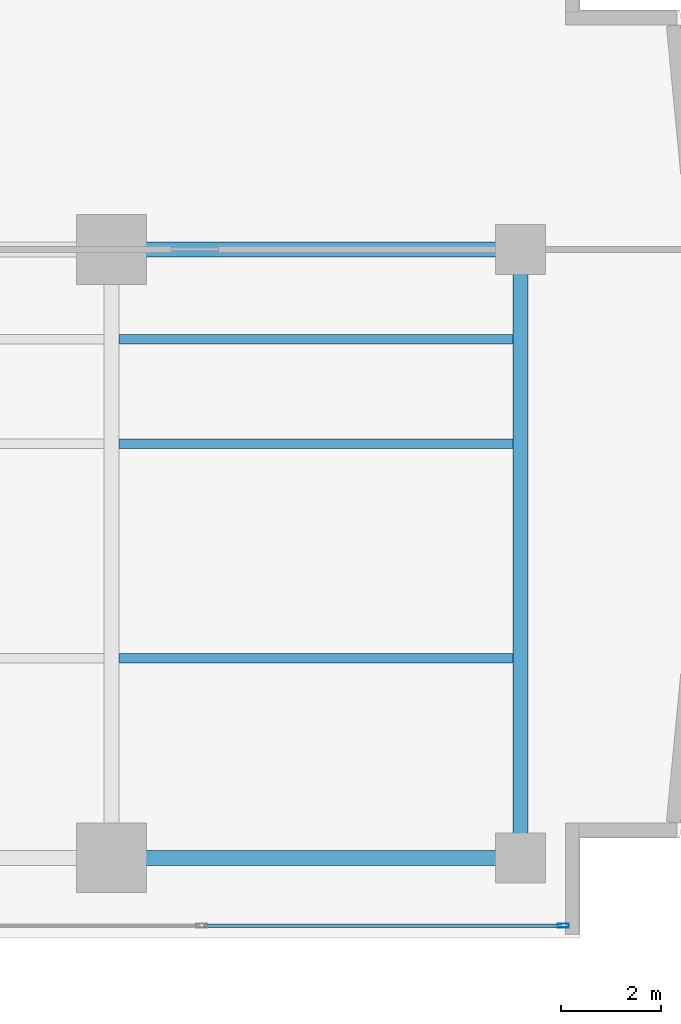
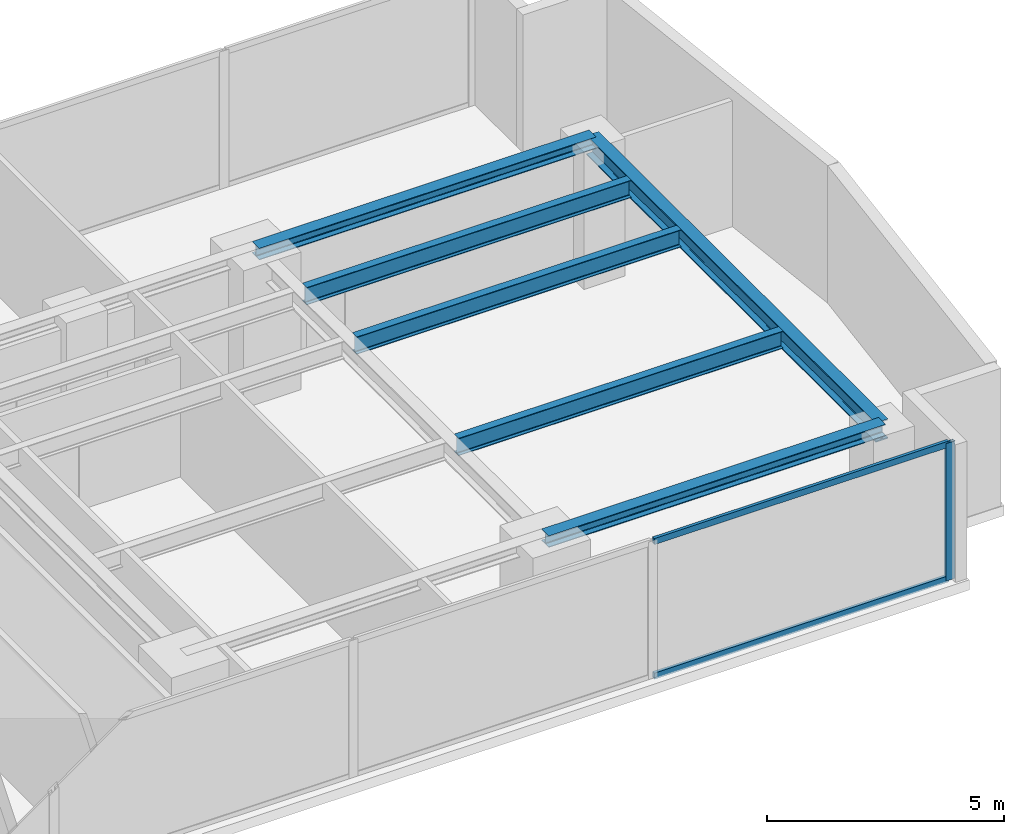
# One storey, part 12 of 26: 6 beams, 3 members, 1 element without a shape of its own.
"""IFC4 building model written with IfcOpenShell, lengths in metres."""

import ifcopenshell
import ifcopenshell.guid

model = None  # the IFC model being written
_history = None  # IfcOwnerHistory: only IFC2X3 demands one
_inside = {}  # id of a spatial element -> (the spatial element, [elements in it])
_under = {}  # id of a project, library or spatial element -> (it, [spatial elements below it])
_declared = {}  # id of a project -> (the project, [libraries it declares])
_typed = {}  # id of a type object -> (the type object, [elements of that type])
_made_of = {}  # id of a material, layer set ... -> (it, [elements and type objects made of it])


def new_model(schema):
    """Start an empty IFC model of exactly this schema.

    Asked for "IFC4X3", IfcOpenShell would pick the latest addendum, in which some entities
    have other attributes; the version numbers below select the first issue.
    IFC2X3 requires an IfcOwnerHistory on every rooted entity: one is made here for all.
    """
    global model, _history
    if schema == "IFC4X3":
        model = ifcopenshell.file(schema_version=(4, 3, 0, 0))
    else:
        model = ifcopenshell.file(schema=schema)
    _inside.clear()
    _under.clear()
    _declared.clear()
    _typed.clear()
    _made_of.clear()
    _history = None
    if model.schema == "IFC2X3":
        org = make("IfcOrganization", Name="unknown")
        user = make(
            "IfcPersonAndOrganization",
            ThePerson=make("IfcPerson", FamilyName="unknown"),
            TheOrganization=org,
        )
        app = make(
            "IfcApplication",
            ApplicationDeveloper=org,
            Version="unknown",
            ApplicationFullName="unknown",
            ApplicationIdentifier="unknown",
        )
        _history = make(
            "IfcOwnerHistory",
            OwningUser=user,
            OwningApplication=app,
            ChangeAction="ADDED",
            CreationDate=0,
        )
    return model


def make(cls, **values):
    """One entity of the class cls with the attributes given. An attribute that is None is left unset."""
    return model.create_entity(
        cls, **{name: value for name, value in values.items() if value is not None}
    )


def rooted(cls, **values):
    """An entity with a GlobalId (a new one), such as an element, a storey or a relation."""
    return make(cls, GlobalId=ifcopenshell.guid.new(), OwnerHistory=_history, **values)


def si_unit(unit_type, name, prefix=None):
    """IfcSIUnit, for example si_unit("LENGTHUNIT", "METRE", prefix="MILLI")."""
    return make("IfcSIUnit", UnitType=unit_type, Prefix=prefix, Name=name)


def assignment(units):
    """IfcUnitAssignment: the units of a project."""
    return None if units is None else make("IfcUnitAssignment", Units=units)


def point(xyz):
    """IfcCartesianPoint."""
    return None if xyz is None else make("IfcCartesianPoint", Coordinates=xyz)


def direction(xyz):
    """IfcDirection."""
    return None if xyz is None else make("IfcDirection", DirectionRatios=xyz)


def frame(location, z_axis=None, x_axis=None):
    """IfcAxis2Placement3D, a coordinate frame: its origin and axes. An axis left out is left unset."""
    return make(
        "IfcAxis2Placement3D",
        Location=point(location),
        Axis=direction(z_axis),
        RefDirection=direction(x_axis),
    )


def frame_2d(location, x_axis=None):
    """IfcAxis2Placement2D, a coordinate frame in the plane: its origin and x axis."""
    return make(
        "IfcAxis2Placement2D", Location=point(location), RefDirection=direction(x_axis)
    )


def origin():
    """The frame at (0, 0, 0) with its axes left unset."""
    return frame((0.0, 0.0, 0.0))


def origin_with_axes():
    """The frame at (0, 0, 0) with the z axis (0, 0, 1) and the x axis (1, 0, 0) written out."""
    return frame((0.0, 0.0, 0.0), z_axis=(0.0, 0.0, 1.0), x_axis=(1.0, 0.0, 0.0))


def origin_2d():
    """The frame at (0, 0) in the plane with its x axis left unset."""
    return frame_2d((0.0, 0.0))


def place(relative_to, where):
    """IfcLocalPlacement: puts the frame where relative to a parent placement (None: the world)."""
    return make(
        "IfcLocalPlacement", PlacementRelTo=relative_to, RelativePlacement=where
    )


def context(
    kind, dimensions, precision=None, world=None, true_north=None, identifier=None
):
    """IfcGeometricRepresentationContext, for example the 3D "Model" context."""
    return make(
        "IfcGeometricRepresentationContext",
        ContextIdentifier=identifier,
        ContextType=kind,
        CoordinateSpaceDimension=dimensions,
        Precision=precision,
        WorldCoordinateSystem=world,
        TrueNorth=true_north,
    )


def subcontext(parent, identifier, kind, view, scale=None):
    """IfcGeometricRepresentationSubContext, for example "Body" below "Model"."""
    return make(
        "IfcGeometricRepresentationSubContext",
        ContextIdentifier=identifier,
        ContextType=kind,
        ParentContext=parent,
        TargetScale=scale,
        TargetView=view,
    )


def project(units=None, contexts=None):
    """IfcProject with its units and contexts."""
    return rooted(
        "IfcProject",
        Name="project",
        RepresentationContexts=contexts,
        UnitsInContext=assignment(units),
    )


def spatial(cls, under=None, at=None, **own):
    """A site, building, storey or space (cls), placed at a placement, below another one or the project."""
    s = rooted(cls, ObjectPlacement=at, **own)
    if under is not None:
        _under.setdefault(under.id(), (under, []))[1].append(s)
    return s


def profile(cls, at=None, kind="AREA", **sizes):
    """A parametric profile (cls). Its sizes go by their IFC names, for example OverallWidth=200.0."""
    return make(cls, ProfileType=kind, Position=at, **sizes)


def hollow_rectangle(**sizes):
    """IfcRectangleHollowProfileDef."""
    return profile("IfcRectangleHollowProfileDef", **sizes)


def i_section(**sizes):
    """IfcIShapeProfileDef."""
    return profile("IfcIShapeProfileDef", **sizes)


def extrude(swept, where, along, depth):
    """IfcExtrudedAreaSolid: the profile swept, set in the frame where, extruded along a direction by depth."""
    return make(
        "IfcExtrudedAreaSolid",
        SweptArea=swept,
        Position=where,
        ExtrudedDirection=direction(along),
        Depth=depth,
    )


def shape(context_of_items, identifier, shape_type, items):
    """IfcShapeRepresentation: the items that make up one representation, for example the "Body"."""
    return make(
        "IfcShapeRepresentation",
        ContextOfItems=context_of_items,
        RepresentationIdentifier=identifier,
        RepresentationType=shape_type,
        Items=items,
    )


def source(mapping_origin, context_of_items, identifier, shape_type, items):
    """IfcRepresentationMap: a shape defined once, which mapped items show again and again."""
    return make(
        "IfcRepresentationMap",
        MappingOrigin=mapping_origin,
        MappedRepresentation=shape(context_of_items, identifier, shape_type, items),
    )


def transform(
    local_origin,
    x_axis=None,
    y_axis=None,
    z_axis=None,
    scale=None,
    scale2=None,
    scale3=None,
    uniform=True,
):
    """IfcCartesianTransformationOperator3D, or its non-uniform kind. x_axis, y_axis, z_axis: its Axis1, 2, 3."""
    if uniform:
        return make(
            "IfcCartesianTransformationOperator3D",
            Axis1=direction(x_axis),
            Axis2=direction(y_axis),
            LocalOrigin=point(local_origin),
            Scale=scale,
            Axis3=direction(z_axis),
        )
    return make(
        "IfcCartesianTransformationOperator3DnonUniform",
        Axis1=direction(x_axis),
        Axis2=direction(y_axis),
        LocalOrigin=point(local_origin),
        Scale=scale,
        Axis3=direction(z_axis),
        Scale2=scale2,
        Scale3=scale3,
    )


def mapped(mapping_source, mapping_target):
    """IfcMappedItem: shows the shape of a source again, moved by a transform."""
    return make(
        "IfcMappedItem", MappingSource=mapping_source, MappingTarget=mapping_target
    )


def material(Name=None, Category=None):
    """IfcMaterial."""
    return make("IfcMaterial", Name=Name, Category=Category)


def layer(
    of_material, thickness, ventilated=None, Name=None, Category=None, Priority=None
):
    """IfcMaterialLayer: one layer of a wall or slab, of a material (None: an air gap)."""
    return make(
        "IfcMaterialLayer",
        Material=of_material,
        LayerThickness=thickness,
        IsVentilated=ventilated,
        Name=Name,
        Category=Category,
        Priority=Priority,
    )


def layer_set(layers, Name=None):
    """IfcMaterialLayerSet."""
    return make("IfcMaterialLayerSet", MaterialLayers=layers, LayerSetName=Name)


def material_profile(
    of_material, cross_section, Name=None, Category=None, Priority=None
):
    """IfcMaterialProfile: a cross section and its material."""
    return make(
        "IfcMaterialProfile",
        Name=Name,
        Material=of_material,
        Profile=cross_section,
        Priority=Priority,
        Category=Category,
    )


def profile_set(profiles, Name=None, composite=None):
    """IfcMaterialProfileSet."""
    return make(
        "IfcMaterialProfileSet",
        Name=Name,
        MaterialProfiles=profiles,
        CompositeProfile=composite,
    )


def made_of(thing, what):
    """Note that an element or type object is made of a material, layer set ...; save() writes the relation."""
    if what is not None:
        _made_of.setdefault(what.id(), (what, []))[1].append(thing)
    return thing


def type_object(cls, material=None, **own):
    """A type object (cls), such as IfcWallType, which elements share."""
    return made_of(rooted(cls, **own), material)


def element(
    cls,
    number,
    at=None,
    inside=None,
    cuts=None,
    type_object=None,
    material=None,
    context=None,
    identifier="Body",
    shape_type=None,
    held_by="IfcProductDefinitionShape",
    body=None,
    shapes=None,
    **own,
):
    """One element of the class cls, such as IfcWall. Its Tag is "e" and its number.

    at: its placement. inside: the storey or other place that contains it. cuts: it is an
    opening in that element (IfcRelVoidsElement). A single representation is given by context,
    identifier, shape_type and body (its items); several are given by shapes. held_by: the class
    of the entity that holds the representations. save() writes the other relations.
    """
    e = rooted(cls, Tag="e%d" % number, ObjectPlacement=at, **own)
    if body is not None:
        shapes = [shape(context, identifier, shape_type, body)]
    if shapes is not None:
        e.Representation = make(held_by, Representations=shapes)
    if inside is not None:
        _inside.setdefault(inside.id(), (inside, []))[1].append(e)
    if cuts is not None:
        rooted(
            "IfcRelVoidsElement", RelatingBuildingElement=cuts, RelatedOpeningElement=e
        )
    if type_object is not None:
        _typed.setdefault(type_object.id(), (type_object, []))[1].append(e)
    return made_of(e, material)


def aggregate(whole, parts):
    """IfcRelAggregates: a whole, such as a stair, and the parts it consists of."""
    return rooted("IfcRelAggregates", RelatingObject=whole, RelatedObjects=parts)


def save(model, path):
    """Write the relations noted so far, then the file.

    IfcRelAggregates (storeys below a building ...), IfcRelContainedInSpatialStructure (elements
    in a storey), IfcRelDefinesByType, IfcRelAssociatesMaterial and IfcRelDeclares: one each for
    every whole, place, type object, material and project.
    """
    for whole, parts in _under.values():
        aggregate(whole, parts)
    for where, things in _inside.values():
        rooted(
            "IfcRelContainedInSpatialStructure",
            RelatedElements=things,
            RelatingStructure=where,
        )
    for kind, things in _typed.values():
        rooted("IfcRelDefinesByType", RelatedObjects=things, RelatingType=kind)
    for what, things in _made_of.values():
        rooted("IfcRelAssociatesMaterial", RelatedObjects=things, RelatingMaterial=what)
    for by, libraries in _declared.values():
        rooted("IfcRelDeclares", RelatingContext=by, RelatedDefinitions=libraries)
    model.write(path)


model = new_model("IFC4")

# Units and contexts
model_context = context("Model", 3, precision=1e-05, world=origin(), true_north=direction((0.0, 1.0)))
body_context = subcontext(model_context, "Body", "Model", "MODEL_VIEW")
ifc_project = project(units=[si_unit("LENGTHUNIT", "METRE"), si_unit("AREAUNIT", "SQUARE_METRE"), si_unit("VOLUMEUNIT", "CUBIC_METRE"), si_unit("PLANEANGLEUNIT", "RADIAN"), si_unit("MASSUNIT", "GRAM", prefix="KILO")], contexts=[model_context])

# Site, building, storey
site_placement = place(None, origin())
site = spatial("IfcSite", under=ifc_project, at=site_placement, CompositionType="ELEMENT")
building_placement = place(site_placement, origin())
building = spatial("IfcBuilding", under=site, at=building_placement, Name="Kolvaren Waterfront Exchange", CompositionType="ELEMENT")
storey_placement = place(building_placement, frame((0.0, 0.0, 125.89990234375)))
storey = spatial("IfcBuildingStorey", under=building, at=storey_placement, Name="L32", CompositionType="ELEMENT", Elevation=125.89990234375)

# Beams
ifc_material_1 = material(Name="Steel S355", Category="steel")
ifc_material_profile_1 = material_profile(ifc_material_1, i_section(OverallWidth=0.300048828125, OverallDepth=0.300048828125, WebThickness=0.010986328125, FlangeThickness=0.01904296875, FilletRadius=0.027099609375, at=origin_2d()), Name="HEB300")
ifc_profile_set_1 = profile_set([ifc_material_profile_1], Name="Steel S355")
beam_type_1 = type_object("IfcBeamType", Name="STR-BM-HEB300", PredefinedType="SPANDREL", material=ifc_profile_set_1)
for number, where, z_axis, x_axis, name in (
    (1, (45.60009765625, 5.199951171875, 3.39013671875), (1.0, 0.0, 0.0), (0.0, 1.0, 0.0), "L32 east-arm spandrel S4"),
    (2, (45.60009765625, 17.39990234375, 3.39013671875), (1.0, 0.0, 0.0), (0.0, 1.0, 0.0), "L32 east-arm spandrel N4"),
):
    element("IfcBeam", number, at=place(storey_placement, frame(where, z_axis=z_axis, x_axis=x_axis)), inside=storey, type_object=beam_type_1, Name=name, PredefinedType="SPANDREL", context=body_context, shape_type="SweptSolid", body=[
        extrude(i_section(OverallWidth=0.300048828125, OverallDepth=0.300048828125, WebThickness=0.010986328125, FlangeThickness=0.01904296875, FilletRadius=0.027099609375, at=origin_2d()), origin(), (0.0, 0.0, 1.0), 8.199951171875),
    ])
ifc_material_profile_2 = material_profile(ifc_material_1, i_section(OverallWidth=0.300048828125, OverallDepth=0.5, WebThickness=0.014404296875, FlangeThickness=0.028076171875, FilletRadius=0.027099609375, at=origin_2d()), Name="HEB500")
ifc_profile_set_2 = profile_set([ifc_material_profile_2], Name="Steel S355")
beam_type_2 = type_object("IfcBeamType", Name="STR-BM-HEB500", PredefinedType="BEAM", material=ifc_profile_set_2)
beam_placement = place(storey_placement, frame((53.800048828125, 5.199951171875, 3.2900390625), z_axis=(0.0, 1.0, 0.0), x_axis=(-1.0, 0.0, 0.0)))
element("IfcBeam", 3, at=beam_placement, inside=storey, type_object=beam_type_2, Name="L32 east-arm transverse girder X53", PredefinedType="BEAM", context=body_context, shape_type="SweptSolid", body=[
    extrude(i_section(OverallWidth=0.300048828125, OverallDepth=0.5, WebThickness=0.014404296875, FlangeThickness=0.028076171875, FilletRadius=0.027099609375, at=origin_2d()), origin(), (0.0, 0.0, 1.0), 12.199951171875),
])
ifc_material_profile_3 = material_profile(ifc_material_1, i_section(OverallWidth=0.18994140625, OverallDepth=0.449951171875, WebThickness=0.009521484375, FlangeThickness=0.0146484375, FilletRadius=0.02099609375, at=origin_2d()), Name="IPE450")
ifc_profile_set_3 = profile_set([ifc_material_profile_3], Name="Steel S355")
beam_type_3 = type_object("IfcBeamType", Name="STR-BM-IPE450", PredefinedType="JOIST", material=ifc_profile_set_3)
for number, where, z_axis, x_axis, name in (
    (4, (45.751953125, 13.5, 3.315185546875), (1.0, 0.0, 0.0), (0.0, 1.0, 0.0), "L32 east-arm composite joist 4A"),
    (5, (45.751953125, 15.60009765625, 3.315185546875), (1.0, 0.0, 0.0), (0.0, 1.0, 0.0), "L32 east-arm composite joist 4C"),
    (6, (45.751953125, 9.199951171875, 3.315185546875), (1.0, 0.0, 0.0), (0.0, 1.0, 0.0), "L32 east-arm composite joist 4B"),
):
    element("IfcBeam", number, at=place(storey_placement, frame(where, z_axis=z_axis, x_axis=x_axis)), inside=storey, type_object=beam_type_3, Name=name, PredefinedType="JOIST", context=body_context, shape_type="SweptSolid", body=[
        extrude(i_section(OverallWidth=0.18994140625, OverallDepth=0.449951171875, WebThickness=0.009521484375, FlangeThickness=0.0146484375, FilletRadius=0.02099609375, at=origin_2d()), origin(), (0.0, 0.0, 1.0), 7.89599609375),
    ])

# Curtain wall, members
ifc_material_2 = material(Name="Anodised bronze aluminium 6063-T6", Category="aluminium")
ifc_layer = layer(ifc_material_2, 0.219970703125, Name="Anodised bronze aluminium 6063-T6")
ifc_layer_set = layer_set([ifc_layer], Name="Anodised bronze aluminium 6063-T6")
curtain_wall_type = type_object("IfcCurtainWallType", Name="ARC-CW-SYS1", PredefinedType="USERDEFINED", material=ifc_layer_set)
curtain_wall_placement = place(storey_placement, origin())
curtain_wall = element("IfcCurtainWall", 7, at=curtain_wall_placement, inside=storey, type_object=curtain_wall_type, Name="L32 stick curtain wall CW1 (CW-L32-S)", ObjectType="STICK CURTAIN WALL", PredefinedType="USERDEFINED")
ifc_material_3 = material(Name="Anodised aluminium 6063-T6", Category="aluminium")
ifc_material_profile_4 = material_profile(ifc_material_3, hollow_rectangle(XDim=0.080078125, YDim=0.219970703125, WallThickness=0.0048828125, at=origin_2d()), Name="ALU-MUL-220x80x5")
ifc_profile_set_4 = profile_set([ifc_material_profile_4], Name="Anodised aluminium 6063-T6")
member_type_1 = type_object("IfcMemberType", Name="ARC-CWM-220", PredefinedType="MULLION", material=ifc_profile_set_4)
shared_shape_1 = source(origin_with_axes(), body_context, "Body", "SweptSolid", [
    extrude(hollow_rectangle(XDim=0.080078125, YDim=0.219970703125, WallThickness=0.0048828125, at=origin_2d()), origin(), (0.0, 0.0, 1.0), 3.5400390625),
])
member_1_placement = place(storey_placement, frame((54.659912109375, 3.840087890625, 0.0), z_axis=(0.0, 0.0, 1.0), x_axis=(0.0, 1.0, 0.0)))
member_1 = element("IfcMember", 8, at=member_1_placement, type_object=member_type_1, Name="CW1 mullion 8", PredefinedType="MULLION", context=body_context, shape_type="MappedRepresentation", body=[
    mapped(shared_shape_1, transform((0.0, 0.0, 0.0), x_axis=(1.0, 0.0, 0.0), y_axis=(0.0, 1.0, 0.0), z_axis=(0.0, 0.0, 1.0), scale=1.0)),
])
ifc_material_profile_5 = material_profile(ifc_material_3, hollow_rectangle(XDim=0.074951171875, YDim=0.159912109375, WallThickness=0.00439453125, at=origin_2d()), Name="ALU-TRN-160x75x4.5")
ifc_profile_set_5 = profile_set([ifc_material_profile_5], Name="Anodised aluminium 6063-T6")
member_type_2 = type_object("IfcMemberType", Name="ARC-CWT-160", PredefinedType="USERDEFINED", material=ifc_profile_set_5)
shared_shape_2 = source(origin_with_axes(), body_context, "Body", "SweptSolid", [
    extrude(hollow_rectangle(XDim=0.074951171875, YDim=0.159912109375, WallThickness=0.00439453125, at=origin_2d()), origin(), (0.0, 0.0, 1.0), 7.165771484375),
])
member_2_placement = place(storey_placement, frame((47.454345703125, 3.840087890625, 0.03759765625), z_axis=(1.0, 0.0, 0.0), x_axis=(0.0, 1.0, 0.0)))
member_2 = element("IfcMember", 9, at=member_2_placement, type_object=member_type_2, Name="CW1 transom 7.1", ObjectType="TRANSOM", PredefinedType="USERDEFINED", context=body_context, shape_type="MappedRepresentation", body=[
    mapped(shared_shape_2, transform((0.0, 0.0, 0.0), x_axis=(1.0, 0.0, 0.0), y_axis=(0.0, 1.0, 0.0), z_axis=(0.0, 0.0, 1.0), scale=1.0)),
])
member_3_placement = place(storey_placement, frame((47.454345703125, 3.840087890625, 3.502685546875), z_axis=(1.0, 0.0, 0.0), x_axis=(0.0, 1.0, 0.0)))
member_3 = element("IfcMember", 10, at=member_3_placement, type_object=member_type_2, Name="CW1 transom 7.2", ObjectType="TRANSOM", PredefinedType="USERDEFINED", context=body_context, shape_type="MappedRepresentation", body=[
    mapped(shared_shape_2, transform((0.0, 0.0, 0.0), x_axis=(1.0, 0.0, 0.0), y_axis=(0.0, 1.0, 0.0), z_axis=(0.0, 0.0, 1.0), scale=1.0)),
])
aggregate(curtain_wall, [member_1, member_2, member_3])

save(model, "model.ifc")
